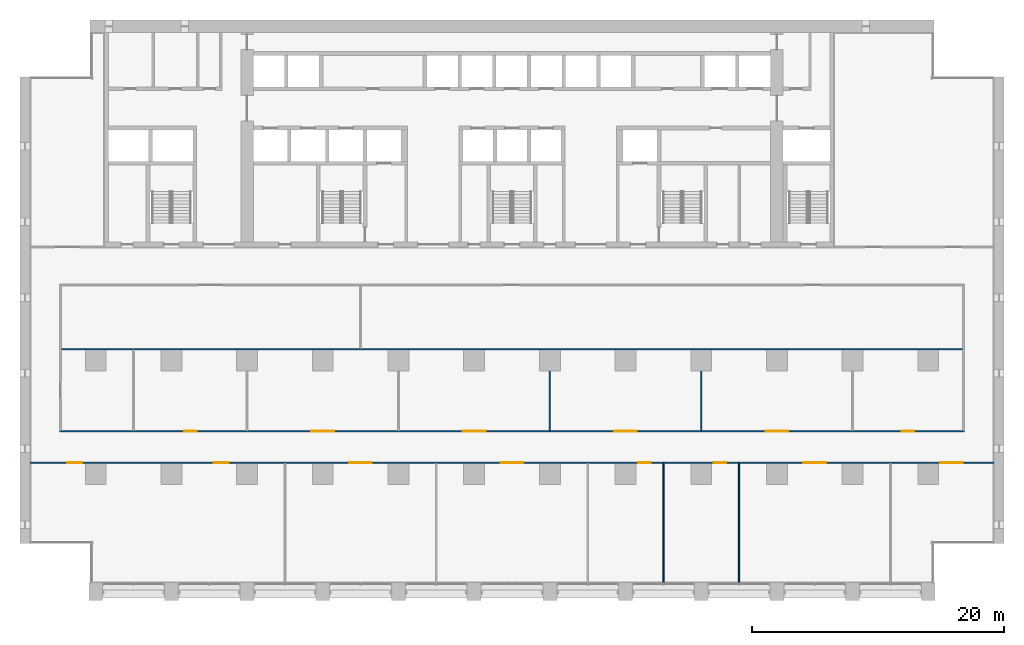
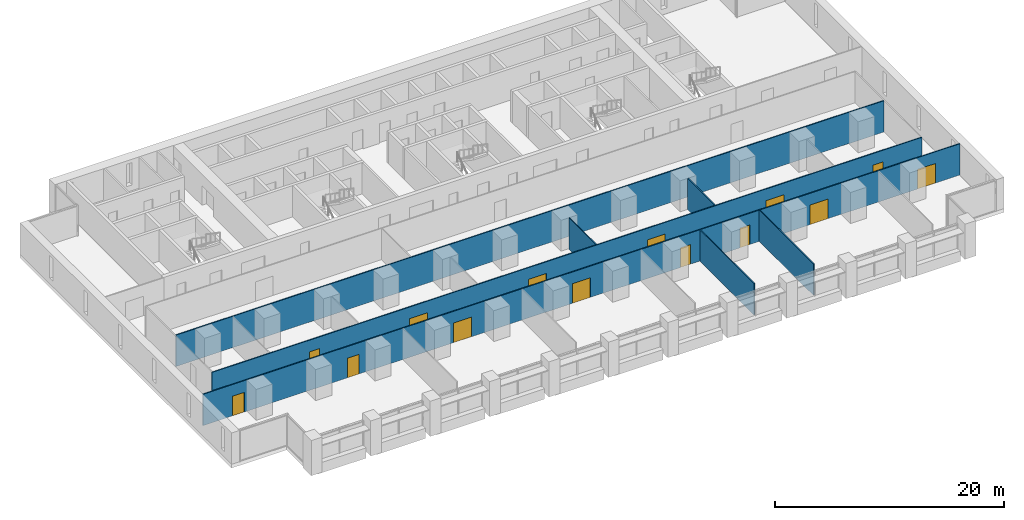
# One storey, part 9 of 18: 14 doors, 7 walls, 14 openings.
"""IFC4 building model written with IfcOpenShell, lengths in metres."""

from ifc_helpers import new_model, si_unit, direction, frame, frame_2d, origin, place, context, subcontext, project, spatial, rectangle, extrude, material, layer, layer_set, type_object, element, fill, save


model = new_model("IFC4")

# Units and contexts
model_context = context("Model", 3, precision=1e-05, world=origin(), true_north=direction((0.0, 1.0)))
body_context = subcontext(model_context, "Body", "Model", "MODEL_VIEW")
ifc_project = project(units=[si_unit("LENGTHUNIT", "METRE"), si_unit("AREAUNIT", "SQUARE_METRE"), si_unit("VOLUMEUNIT", "CUBIC_METRE"), si_unit("PLANEANGLEUNIT", "RADIAN"), si_unit("MASSUNIT", "GRAM", prefix="KILO")], contexts=[model_context])

# Site, building, storey
site_placement = place(None, origin())
site = spatial("IfcSite", under=ifc_project, at=site_placement, CompositionType="ELEMENT")
building_placement = place(site_placement, origin())
building = spatial("IfcBuilding", under=site, at=building_placement, Name="Calvaro Tower", CompositionType="ELEMENT")
storey_placement = place(building_placement, frame((0.0, 0.0, 60.0)))
storey = spatial("IfcBuildingStorey", under=building, at=storey_placement, Name="L14", CompositionType="ELEMENT", Elevation=60.0)

# Wall, openings, doors
ifc_material_1 = material(Name="Plasterboard on steel studs", Category="steel")
ifc_layer = layer(ifc_material_1, 0.10009765625)
ifc_layer_set = layer_set([ifc_layer], Name="Plasterboard on steel studs")
wall_type = type_object("IfcWallType", Name="Partition 100", PredefinedType="PARTITIONING", material=ifc_layer_set)
wall_1_placement = place(storey_placement, frame((0.800048828125, 10.89990234375, 0.0), z_axis=(0.0, 0.0, 1.0), x_axis=(1.0, 0.0, 0.0)))
wall_1 = element("IfcWall", 1, at=wall_1_placement, inside=storey, type_object=wall_type, Name="Partition T12.W001", PredefinedType="PARTITIONING", context=body_context, shape_type="SweptSolid", body=[
    extrude(rectangle(XDim=76.39990234375, YDim=0.10009765625, at=frame_2d((38.199951171875, 0.0))), origin(), (0.0, 0.0, 1.0), 3.35009765625),
])
opening_1_placement = place(wall_1_placement, frame((25.300048828125, 0.0, 0.0)))
opening_1 = element("IfcOpeningElement", 2, at=opening_1_placement, cuts=wall_1, Name="Opening T12.001", PredefinedType="OPENING", context=body_context, shape_type="SweptSolid", body=[
    extrude(rectangle(XDim=1.800048828125, YDim=2.10009765625, at=frame_2d((0.89990234375, 1.050048828125))), frame((0.0, 0.06005859375, 0.0), z_axis=(0.0, -1.0, 0.0), x_axis=(1.0, 0.0, 0.0)), (0.0, 0.0, 1.0), 0.1201171875),
])
opening_2_placement = place(wall_1_placement, frame((37.300048828125, 0.0, 0.0)))
opening_2 = element("IfcOpeningElement", 3, at=opening_2_placement, cuts=wall_1, Name="Opening T12.002", PredefinedType="OPENING", context=body_context, shape_type="SweptSolid", body=[
    extrude(rectangle(XDim=1.800048828125, YDim=2.10009765625, at=frame_2d((0.89990234375, 1.050048828125))), frame((0.0, 0.06005859375, 0.0), z_axis=(0.0, -1.0, 0.0), x_axis=(1.0, 0.0, 0.0)), (0.0, 0.0, 1.0), 0.1201171875),
])
opening_3_placement = place(wall_1_placement, frame((48.199951171875, 0.0, 0.0)))
opening_3 = element("IfcOpeningElement", 4, at=opening_3_placement, cuts=wall_1, Name="Opening T12.003", PredefinedType="OPENING", context=body_context, shape_type="SweptSolid", body=[
    extrude(rectangle(XDim=1.0, YDim=2.10009765625, at=frame_2d((0.5, 1.050048828125))), frame((0.0, 0.06005859375, 0.0), z_axis=(0.0, -1.0, 0.0), x_axis=(1.0, 0.0, 0.0)), (0.0, 0.0, 1.0), 0.1201171875),
])
opening_4_placement = place(wall_1_placement, frame((54.199951171875, 0.0, 0.0)))
opening_4 = element("IfcOpeningElement", 5, at=opening_4_placement, cuts=wall_1, Name="Opening T12.004", PredefinedType="OPENING", context=body_context, shape_type="SweptSolid", body=[
    extrude(rectangle(XDim=1.0, YDim=2.10009765625, at=frame_2d((0.5, 1.050048828125))), frame((0.0, 0.06005859375, 0.0), z_axis=(0.0, -1.0, 0.0), x_axis=(1.0, 0.0, 0.0)), (0.0, 0.0, 1.0), 0.1201171875),
])
opening_5_placement = place(wall_1_placement, frame((61.300048828125, 0.0, 0.0)))
opening_5 = element("IfcOpeningElement", 6, at=opening_5_placement, cuts=wall_1, Name="Opening T12.005", PredefinedType="OPENING", context=body_context, shape_type="SweptSolid", body=[
    extrude(rectangle(XDim=1.800048828125, YDim=2.10009765625, at=frame_2d((0.89990234375, 1.050048828125))), frame((0.0, 0.06005859375, 0.0), z_axis=(0.0, -1.0, 0.0), x_axis=(1.0, 0.0, 0.0)), (0.0, 0.0, 1.0), 0.1201171875),
])
opening_6_placement = place(wall_1_placement, frame((2.949951171875, 0.0, 0.0)))
opening_6 = element("IfcOpeningElement", 7, at=opening_6_placement, cuts=wall_1, Name="Opening T12.006", PredefinedType="OPENING", context=body_context, shape_type="SweptSolid", body=[
    extrude(rectangle(XDim=1.199951171875, YDim=2.10009765625, at=frame_2d((0.60009765625, 1.050048828125))), frame((0.0, 0.06005859375, 0.0), z_axis=(0.0, -1.0, 0.0), x_axis=(1.0, 0.0, 0.0)), (0.0, 0.0, 1.0), 0.1201171875),
])
opening_7_placement = place(wall_1_placement, frame((14.550048828125, 0.0, 0.0)))
opening_7 = element("IfcOpeningElement", 8, at=opening_7_placement, cuts=wall_1, Name="Opening T12.007", PredefinedType="OPENING", context=body_context, shape_type="SweptSolid", body=[
    extrude(rectangle(XDim=1.199951171875, YDim=2.10009765625, at=frame_2d((0.60009765625, 1.050048828125))), frame((0.0, 0.06005859375, 0.0), z_axis=(0.0, -1.0, 0.0), x_axis=(1.0, 0.0, 0.0)), (0.0, 0.0, 1.0), 0.1201171875),
])
opening_8_placement = place(wall_1_placement, frame((72.14990234375, 0.0, 0.0)))
opening_8 = element("IfcOpeningElement", 9, at=opening_8_placement, cuts=wall_1, Name="Opening T12.008", PredefinedType="OPENING", context=body_context, shape_type="SweptSolid", body=[
    extrude(rectangle(XDim=1.800048828125, YDim=2.10009765625, at=frame_2d((0.89990234375, 1.050048828125))), frame((0.0, 0.06005859375, 0.0), z_axis=(0.0, -1.0, 0.0), x_axis=(1.0, 0.0, 0.0)), (0.0, 0.0, 1.0), 0.1201171875),
])
ifc_material_2 = material(Name="Timber", Category="wood")
door_type_1 = type_object("IfcDoorType", Name="Internal double door 1800 x 2100", OperationType="DOUBLE_DOOR_SINGLE_SWING", PredefinedType="DOOR", material=ifc_material_2)
door_1_placement = place(opening_1_placement, origin())
door_1 = element("IfcDoor", 10, at=door_1_placement, inside=storey, type_object=door_type_1, Name="Door T12.001", OperationType="DOUBLE_DOOR_SINGLE_SWING", OverallHeight=2.10009765625, OverallWidth=1.800048828125, PredefinedType="DOOR", context=body_context, shape_type="SweptSolid", body=[
    extrude(rectangle(XDim=1.800048828125, YDim=2.10009765625, at=frame_2d((0.89990234375, 1.050048828125))), frame((0.0, 0.02490234375, 0.0), z_axis=(0.0, -1.0, 0.0), x_axis=(1.0, 0.0, 0.0)), (0.0, 0.0, 1.0), 0.050048828125),
])
fill(opening_1, door_1)
door_2_placement = place(opening_2_placement, origin())
door_2 = element("IfcDoor", 11, at=door_2_placement, inside=storey, type_object=door_type_1, Name="Door T12.002", OperationType="DOUBLE_DOOR_SINGLE_SWING", OverallHeight=2.10009765625, OverallWidth=1.800048828125, PredefinedType="DOOR", context=body_context, shape_type="SweptSolid", body=[
    extrude(rectangle(XDim=1.800048828125, YDim=2.10009765625, at=frame_2d((0.89990234375, 1.050048828125))), frame((0.0, 0.02490234375, 0.0), z_axis=(0.0, -1.0, 0.0), x_axis=(1.0, 0.0, 0.0)), (0.0, 0.0, 1.0), 0.050048828125),
])
fill(opening_2, door_2)
door_3_placement = place(opening_5_placement, origin())
door_3 = element("IfcDoor", 12, at=door_3_placement, inside=storey, type_object=door_type_1, Name="Door T12.005", OperationType="DOUBLE_DOOR_SINGLE_SWING", OverallHeight=2.10009765625, OverallWidth=1.800048828125, PredefinedType="DOOR", context=body_context, shape_type="SweptSolid", body=[
    extrude(rectangle(XDim=1.800048828125, YDim=2.10009765625, at=frame_2d((0.89990234375, 1.050048828125))), frame((0.0, 0.02490234375, 0.0), z_axis=(0.0, -1.0, 0.0), x_axis=(1.0, 0.0, 0.0)), (0.0, 0.0, 1.0), 0.050048828125),
])
fill(opening_5, door_3)
door_4_placement = place(opening_8_placement, origin())
door_4 = element("IfcDoor", 13, at=door_4_placement, inside=storey, type_object=door_type_1, Name="Door T12.008", OperationType="DOUBLE_DOOR_SINGLE_SWING", OverallHeight=2.10009765625, OverallWidth=1.800048828125, PredefinedType="DOOR", context=body_context, shape_type="SweptSolid", body=[
    extrude(rectangle(XDim=1.800048828125, YDim=2.10009765625, at=frame_2d((0.89990234375, 1.050048828125))), frame((0.0, 0.02490234375, 0.0), z_axis=(0.0, -1.0, 0.0), x_axis=(1.0, 0.0, 0.0)), (0.0, 0.0, 1.0), 0.050048828125),
])
fill(opening_8, door_4)
ifc_material_3 = material(Name="Timber", Category="wood")
door_type_2 = type_object("IfcDoorType", Name="Internal single door 1000 x 2100", OperationType="SINGLE_SWING_LEFT", PredefinedType="DOOR", material=ifc_material_3)
door_5_placement = place(opening_3_placement, origin())
door_5 = element("IfcDoor", 14, at=door_5_placement, inside=storey, type_object=door_type_2, Name="Door T12.003", OperationType="SINGLE_SWING_RIGHT", OverallHeight=2.10009765625, OverallWidth=1.0, PredefinedType="DOOR", context=body_context, shape_type="SweptSolid", body=[
    extrude(rectangle(XDim=1.0, YDim=2.10009765625, at=frame_2d((0.5, 1.050048828125))), frame((0.0, 0.02490234375, 0.0), z_axis=(0.0, -1.0, 0.0), x_axis=(1.0, 0.0, 0.0)), (0.0, 0.0, 1.0), 0.050048828125),
])
fill(opening_3, door_5)
door_6_placement = place(opening_4_placement, origin())
door_6 = element("IfcDoor", 15, at=door_6_placement, inside=storey, type_object=door_type_2, Name="Door T12.004", OperationType="SINGLE_SWING_RIGHT", OverallHeight=2.10009765625, OverallWidth=1.0, PredefinedType="DOOR", context=body_context, shape_type="SweptSolid", body=[
    extrude(rectangle(XDim=1.0, YDim=2.10009765625, at=frame_2d((0.5, 1.050048828125))), frame((0.0, 0.02490234375, 0.0), z_axis=(0.0, -1.0, 0.0), x_axis=(1.0, 0.0, 0.0)), (0.0, 0.0, 1.0), 0.050048828125),
])
fill(opening_4, door_6)
ifc_material_4 = material(Name="Timber", Category="wood")
door_type_3 = type_object("IfcDoorType", Name="Internal single door 1200 x 2100", OperationType="SINGLE_SWING_LEFT", PredefinedType="DOOR", material=ifc_material_4)
door_7_placement = place(opening_6_placement, origin())
door_7 = element("IfcDoor", 16, at=door_7_placement, inside=storey, type_object=door_type_3, Name="Door T12.006", OperationType="SINGLE_SWING_LEFT", OverallHeight=2.10009765625, OverallWidth=1.199951171875, PredefinedType="DOOR", context=body_context, shape_type="SweptSolid", body=[
    extrude(rectangle(XDim=1.199951171875, YDim=2.10009765625, at=frame_2d((0.60009765625, 1.050048828125))), frame((0.0, 0.02490234375, 0.0), z_axis=(0.0, -1.0, 0.0), x_axis=(1.0, 0.0, 0.0)), (0.0, 0.0, 1.0), 0.050048828125),
])
fill(opening_6, door_7)
door_8_placement = place(opening_7_placement, origin())
door_8 = element("IfcDoor", 17, at=door_8_placement, inside=storey, type_object=door_type_3, Name="Door T12.007", OperationType="SINGLE_SWING_LEFT", OverallHeight=2.10009765625, OverallWidth=1.199951171875, PredefinedType="DOOR", context=body_context, shape_type="SweptSolid", body=[
    extrude(rectangle(XDim=1.199951171875, YDim=2.10009765625, at=frame_2d((0.60009765625, 1.050048828125))), frame((0.0, 0.02490234375, 0.0), z_axis=(0.0, -1.0, 0.0), x_axis=(1.0, 0.0, 0.0)), (0.0, 0.0, 1.0), 0.050048828125),
])
fill(opening_7, door_8)

wall_2_placement = place(storey_placement, frame((3.14990234375, 13.39990234375, 0.0), z_axis=(0.0, 0.0, 1.0), x_axis=(1.0, 0.0, 0.0)))
wall_2 = element("IfcWall", 18, at=wall_2_placement, inside=storey, type_object=wall_type, Name="Partition T12.W002", PredefinedType="PARTITIONING", context=body_context, shape_type="SweptSolid", body=[
    extrude(rectangle(XDim=71.7001953125, YDim=0.10009765625, at=frame_2d((35.85009765625, 0.0))), origin(), (0.0, 0.0, 1.0), 3.35009765625),
])
opening_9_placement = place(wall_2_placement, frame((9.85009765625, 0.0, 0.0)))
opening_9 = element("IfcOpeningElement", 19, at=opening_9_placement, cuts=wall_2, Name="Opening T12.010", PredefinedType="OPENING", context=body_context, shape_type="SweptSolid", body=[
    extrude(rectangle(XDim=1.0, YDim=2.10009765625, at=frame_2d((0.5, 1.050048828125))), frame((0.0, 0.06005859375, 0.0), z_axis=(0.0, -1.0, 0.0), x_axis=(1.0, 0.0, 0.0)), (0.0, 0.0, 1.0), 0.1201171875),
])
opening_10_placement = place(wall_2_placement, frame((19.949951171875, 0.0, 0.0)))
opening_10 = element("IfcOpeningElement", 20, at=opening_10_placement, cuts=wall_2, Name="Opening T12.011", PredefinedType="OPENING", context=body_context, shape_type="SweptSolid", body=[
    extrude(rectangle(XDim=1.800048828125, YDim=2.10009765625, at=frame_2d((0.89990234375, 1.050048828125))), frame((0.0, 0.06005859375, 0.0), z_axis=(0.0, -1.0, 0.0), x_axis=(1.0, 0.0, 0.0)), (0.0, 0.0, 1.0), 0.1201171875),
])
opening_11_placement = place(wall_2_placement, frame((31.949951171875, 0.0, 0.0)))
opening_11 = element("IfcOpeningElement", 21, at=opening_11_placement, cuts=wall_2, Name="Opening T12.012", PredefinedType="OPENING", context=body_context, shape_type="SweptSolid", body=[
    extrude(rectangle(XDim=1.800048828125, YDim=2.10009765625, at=frame_2d((0.89990234375, 1.050048828125))), frame((0.0, 0.06005859375, 0.0), z_axis=(0.0, -1.0, 0.0), x_axis=(1.0, 0.0, 0.0)), (0.0, 0.0, 1.0), 0.1201171875),
])
opening_12_placement = place(wall_2_placement, frame((43.949951171875, 0.0, 0.0)))
opening_12 = element("IfcOpeningElement", 22, at=opening_12_placement, cuts=wall_2, Name="Opening T12.013", PredefinedType="OPENING", context=body_context, shape_type="SweptSolid", body=[
    extrude(rectangle(XDim=1.800048828125, YDim=2.10009765625, at=frame_2d((0.89990234375, 1.050048828125))), frame((0.0, 0.06005859375, 0.0), z_axis=(0.0, -1.0, 0.0), x_axis=(1.0, 0.0, 0.0)), (0.0, 0.0, 1.0), 0.1201171875),
])
opening_13_placement = place(wall_2_placement, frame((55.949951171875, 0.0, 0.0)))
opening_13 = element("IfcOpeningElement", 23, at=opening_13_placement, cuts=wall_2, Name="Opening T12.014", PredefinedType="OPENING", context=body_context, shape_type="SweptSolid", body=[
    extrude(rectangle(XDim=1.800048828125, YDim=2.10009765625, at=frame_2d((0.89990234375, 1.050048828125))), frame((0.0, 0.06005859375, 0.0), z_axis=(0.0, -1.0, 0.0), x_axis=(1.0, 0.0, 0.0)), (0.0, 0.0, 1.0), 0.1201171875),
])
opening_14_placement = place(wall_2_placement, frame((66.75, 0.0, 0.0)))
opening_14 = element("IfcOpeningElement", 24, at=opening_14_placement, cuts=wall_2, Name="Opening T12.015", PredefinedType="OPENING", context=body_context, shape_type="SweptSolid", body=[
    extrude(rectangle(XDim=1.0, YDim=2.10009765625, at=frame_2d((0.5, 1.050048828125))), frame((0.0, 0.06005859375, 0.0), z_axis=(0.0, -1.0, 0.0), x_axis=(1.0, 0.0, 0.0)), (0.0, 0.0, 1.0), 0.1201171875),
])
door_9_placement = place(opening_10_placement, origin())
door_9 = element("IfcDoor", 25, at=door_9_placement, inside=storey, type_object=door_type_1, Name="Door T12.011", OperationType="DOUBLE_DOOR_SINGLE_SWING", OverallHeight=2.10009765625, OverallWidth=1.800048828125, PredefinedType="DOOR", context=body_context, shape_type="SweptSolid", body=[
    extrude(rectangle(XDim=1.800048828125, YDim=2.10009765625, at=frame_2d((0.89990234375, 1.050048828125))), frame((0.0, 0.02490234375, 0.0), z_axis=(0.0, -1.0, 0.0), x_axis=(1.0, 0.0, 0.0)), (0.0, 0.0, 1.0), 0.050048828125),
])
fill(opening_10, door_9)
door_10_placement = place(opening_11_placement, origin())
door_10 = element("IfcDoor", 26, at=door_10_placement, inside=storey, type_object=door_type_1, Name="Door T12.012", OperationType="DOUBLE_DOOR_SINGLE_SWING", OverallHeight=2.10009765625, OverallWidth=1.800048828125, PredefinedType="DOOR", context=body_context, shape_type="SweptSolid", body=[
    extrude(rectangle(XDim=1.800048828125, YDim=2.10009765625, at=frame_2d((0.89990234375, 1.050048828125))), frame((0.0, 0.02490234375, 0.0), z_axis=(0.0, -1.0, 0.0), x_axis=(1.0, 0.0, 0.0)), (0.0, 0.0, 1.0), 0.050048828125),
])
fill(opening_11, door_10)
door_11_placement = place(opening_12_placement, origin())
door_11 = element("IfcDoor", 27, at=door_11_placement, inside=storey, type_object=door_type_1, Name="Door T12.013", OperationType="DOUBLE_DOOR_SINGLE_SWING", OverallHeight=2.10009765625, OverallWidth=1.800048828125, PredefinedType="DOOR", context=body_context, shape_type="SweptSolid", body=[
    extrude(rectangle(XDim=1.800048828125, YDim=2.10009765625, at=frame_2d((0.89990234375, 1.050048828125))), frame((0.0, 0.02490234375, 0.0), z_axis=(0.0, -1.0, 0.0), x_axis=(1.0, 0.0, 0.0)), (0.0, 0.0, 1.0), 0.050048828125),
])
fill(opening_12, door_11)
door_12_placement = place(opening_13_placement, origin())
door_12 = element("IfcDoor", 28, at=door_12_placement, inside=storey, type_object=door_type_1, Name="Door T12.014", OperationType="DOUBLE_DOOR_SINGLE_SWING", OverallHeight=2.10009765625, OverallWidth=1.800048828125, PredefinedType="DOOR", context=body_context, shape_type="SweptSolid", body=[
    extrude(rectangle(XDim=1.800048828125, YDim=2.10009765625, at=frame_2d((0.89990234375, 1.050048828125))), frame((0.0, 0.02490234375, 0.0), z_axis=(0.0, -1.0, 0.0), x_axis=(1.0, 0.0, 0.0)), (0.0, 0.0, 1.0), 0.050048828125),
])
fill(opening_13, door_12)
door_13_placement = place(opening_9_placement, origin())
door_13 = element("IfcDoor", 29, at=door_13_placement, inside=storey, type_object=door_type_2, Name="Door T12.010", OperationType="SINGLE_SWING_LEFT", OverallHeight=2.10009765625, OverallWidth=1.0, PredefinedType="DOOR", context=body_context, shape_type="SweptSolid", body=[
    extrude(rectangle(XDim=1.0, YDim=2.10009765625, at=frame_2d((0.5, 1.050048828125))), frame((0.0, 0.02490234375, 0.0), z_axis=(0.0, -1.0, 0.0), x_axis=(1.0, 0.0, 0.0)), (0.0, 0.0, 1.0), 0.050048828125),
])
fill(opening_9, door_13)
door_14_placement = place(opening_14_placement, origin())
door_14 = element("IfcDoor", 30, at=door_14_placement, inside=storey, type_object=door_type_2, Name="Door T12.015", OperationType="SINGLE_SWING_RIGHT", OverallHeight=2.10009765625, OverallWidth=1.0, PredefinedType="DOOR", context=body_context, shape_type="SweptSolid", body=[
    extrude(rectangle(XDim=1.0, YDim=2.10009765625, at=frame_2d((0.5, 1.050048828125))), frame((0.0, 0.02490234375, 0.0), z_axis=(0.0, -1.0, 0.0), x_axis=(1.0, 0.0, 0.0)), (0.0, 0.0, 1.0), 0.050048828125),
])
fill(opening_14, door_14)

# Walls
wall_3_placement = place(storey_placement, frame((3.25, 19.89990234375, 0.0), z_axis=(0.0, 0.0, 1.0), x_axis=(1.0, 0.0, 0.0)))
element("IfcWall", 31, at=wall_3_placement, inside=storey, type_object=wall_type, Name="Partition T12.W003", PredefinedType="PARTITIONING", context=body_context, shape_type="SweptSolid", body=[
    extrude(rectangle(XDim=71.5, YDim=0.10009765625, at=frame_2d((35.75, 0.0))), origin(), (0.0, 0.0, 1.0), 3.35009765625),
])
wall_4_placement = place(storey_placement, frame((42.0, 13.449951171875, 0.0), z_axis=(0.0, 0.0, 1.0), x_axis=(0.0, 1.0, 0.0)))
element("IfcWall", 32, at=wall_4_placement, inside=storey, type_object=wall_type, Name="Partition T12.W014", PredefinedType="PARTITIONING", context=body_context, shape_type="SweptSolid", body=[
    extrude(rectangle(XDim=4.72509765625, YDim=0.10009765625, at=frame_2d((2.362548828125, 0.0))), origin(), (0.0, 0.0, 1.0), 3.35009765625),
])
wall_5_placement = place(storey_placement, frame((51.0, 1.39990234375, 0.0), z_axis=(0.0, 0.0, 1.0), x_axis=(0.0, 1.0, 0.0)))
element("IfcWall", 33, at=wall_5_placement, inside=storey, type_object=wall_type, Name="Partition T12.W016", PredefinedType="PARTITIONING", context=body_context, shape_type="SweptSolid", body=[
    extrude(rectangle(XDim=9.4501953125, YDim=0.10009765625, at=frame_2d((4.72509765625, 0.0))), origin(), (0.0, 0.0, 1.0), 3.35009765625),
])
wall_6_placement = place(storey_placement, frame((54.0, 13.449951171875, 0.0), z_axis=(0.0, 0.0, 1.0), x_axis=(0.0, 1.0, 0.0)))
element("IfcWall", 34, at=wall_6_placement, inside=storey, type_object=wall_type, Name="Partition T12.W017", PredefinedType="PARTITIONING", context=body_context, shape_type="SweptSolid", body=[
    extrude(rectangle(XDim=4.72509765625, YDim=0.10009765625, at=frame_2d((2.362548828125, 0.0))), origin(), (0.0, 0.0, 1.0), 3.35009765625),
])
wall_7_placement = place(storey_placement, frame((57.0, 1.39990234375, 0.0), z_axis=(0.0, 0.0, 1.0), x_axis=(0.0, 1.0, 0.0)))
element("IfcWall", 35, at=wall_7_placement, inside=storey, type_object=wall_type, Name="Partition T12.W018", PredefinedType="PARTITIONING", context=body_context, shape_type="SweptSolid", body=[
    extrude(rectangle(XDim=9.4501953125, YDim=0.10009765625, at=frame_2d((4.72509765625, 0.0))), origin(), (0.0, 0.0, 1.0), 3.35009765625),
])

save(model, "model.ifc")
